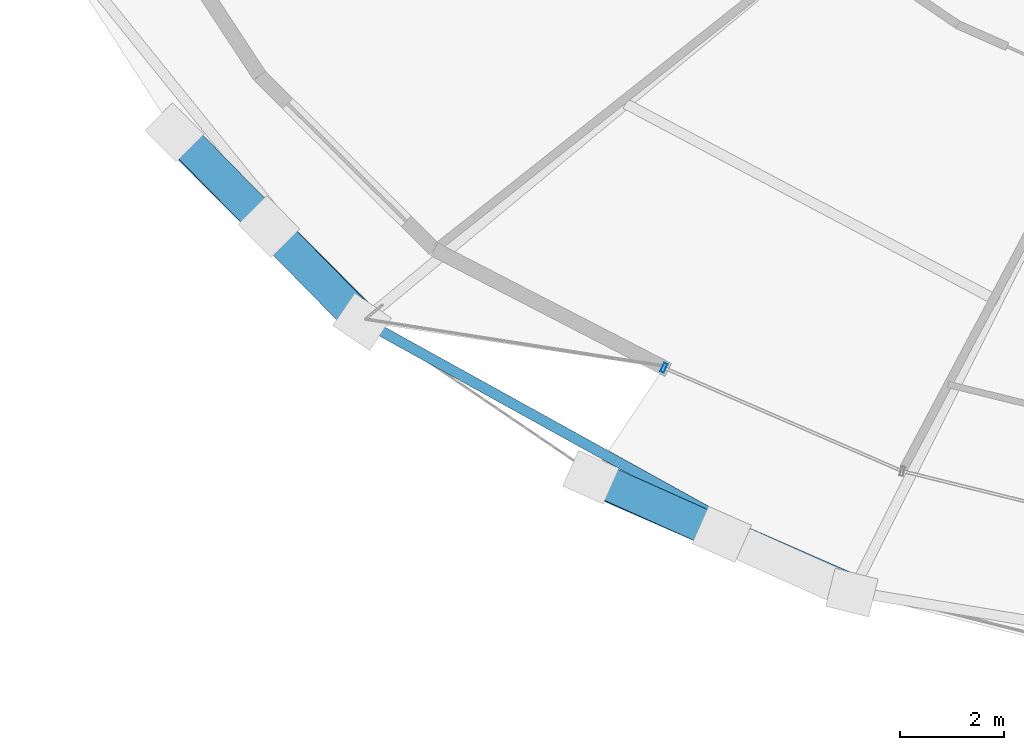
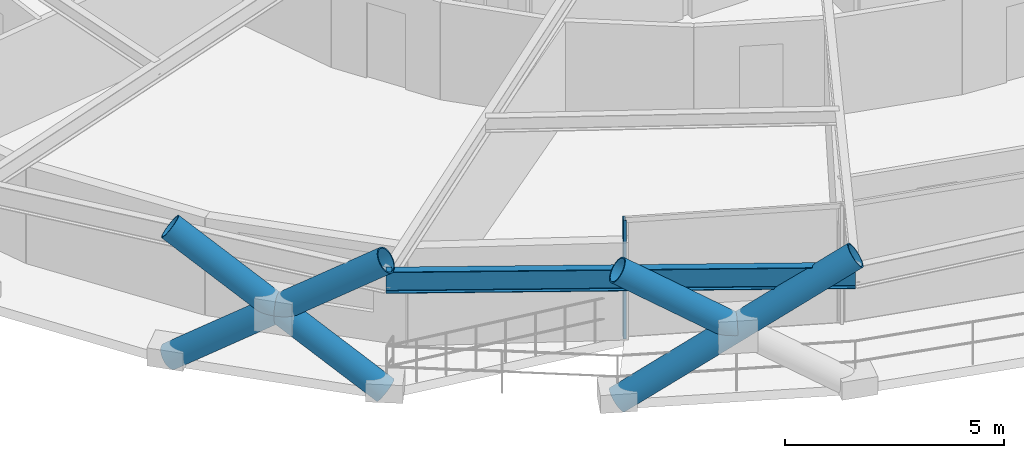
# One storey, part 1 of 21: 6 members, 1 beam, 1 element without a shape of its own.
"""IFC4 building model written with IfcOpenShell, lengths in metres."""

from ifc_helpers import new_model, si_unit, direction, frame, origin, origin_2d, place, context, subcontext, project, spatial, hollow_rectangle, hollow_circle, i_section, extrude, material, layer, layer_set, material_profile, profile_set, type_object, element, aggregate, save


model = new_model("IFC4")

# Units and contexts
model_context = context("Model", 3, precision=1e-05, world=origin(), true_north=direction((0.0, 1.0)))
body_context = subcontext(model_context, "Body", "Model", "MODEL_VIEW")
ifc_project = project(units=[si_unit("LENGTHUNIT", "METRE"), si_unit("AREAUNIT", "SQUARE_METRE"), si_unit("VOLUMEUNIT", "CUBIC_METRE"), si_unit("PLANEANGLEUNIT", "RADIAN"), si_unit("MASSUNIT", "GRAM", prefix="KILO")], contexts=[model_context])

# Site, building, storey
site_placement = place(None, origin())
site = spatial("IfcSite", under=ifc_project, at=site_placement, CompositionType="ELEMENT")
building_placement = place(site_placement, origin())
building = spatial("IfcBuilding", under=site, at=building_placement, Name="Veldorina Hangang Commons", CompositionType="ELEMENT")
storey_placement = place(building_placement, frame((0.0, 0.0, 91.60009765625)))
storey = spatial("IfcBuildingStorey", under=building, at=storey_placement, Name="L23", CompositionType="ELEMENT", Elevation=91.60009765625)

# Beam
ifc_material_1 = material(Name="Steel SM420-TMC", Category="steel")
ifc_material_profile_1 = material_profile(ifc_material_1, i_section(OverallWidth=0.199951171875, OverallDepth=0.60009765625, WebThickness=0.010986328125, FlangeThickness=0.01708984375, FilletRadius=0.01806640625, at=origin_2d()), Name="H-600x200x11x17")
ifc_profile_set_1 = profile_set([ifc_material_profile_1], Name="Steel SM420-TMC")
beam_type = type_object("IfcBeamType", Name="BM-RB600", PredefinedType="BEAM", material=ifc_profile_set_1)
beam_placement = place(storey_placement, frame((11.568603515625, 7.081787109375, 3.039794921875), z_axis=(0.874998715475, -0.484125239909, 0.0), x_axis=(0.484125239909, 0.874998715475, 0.0)))
element("IfcBeam", 1, at=beam_placement, inside=storey, type_object=beam_type, Name="L23 perimeter hoop ring beam 20", PredefinedType="BEAM", context=body_context, shape_type="SweptSolid", body=[
    extrude(i_section(OverallWidth=0.199951171875, OverallDepth=0.60009765625, WebThickness=0.010986328125, FlangeThickness=0.01708984375, FilletRadius=0.01806640625, at=origin_2d()), origin(), (0.0, 0.0, 1.0), 10.713134765625),
])

# Curtain wall, member
ifc_material_2 = material(Name="Glass Low-E Triple IGU", Category="glass")
ifc_layer = layer(ifc_material_2, 0.179931640625)
ifc_layer_set = layer_set([ifc_layer], Name="Glass Low-E Triple IGU")
curtain_wall_type = type_object("IfcCurtainWallType", Name="CW-SYS-Z1", PredefinedType="NOTDEFINED", material=ifc_layer_set)
curtain_wall_placement = place(storey_placement, origin())
curtain_wall = element("IfcCurtainWall", 2, at=curtain_wall_placement, inside=storey, type_object=curtain_wall_type, Name="L23 unitised curtain wall CW-L23-R1", PredefinedType="NOTDEFINED")
ifc_material_3 = material(Name="Aluminium Anodized AA6063-T6", Category="aluminium")
ifc_material_profile_2 = material_profile(ifc_material_3, hollow_rectangle(XDim=0.070068359375, YDim=0.179931640625, WallThickness=0.00390625, at=origin_2d()), Name="ALU-RHS-180x70x4")
ifc_profile_set_2 = profile_set([ifc_material_profile_2], Name="Aluminium Anodized AA6063-T6")
member_type_1 = type_object("IfcMemberType", Name="CW-MUL-180", PredefinedType="MULLION", material=ifc_profile_set_2)
member_1_placement = place(storey_placement, frame((17.33203125, 6.185791015625, 0.0), z_axis=(0.0, 0.0, 1.0), x_axis=(0.917414644732, -0.397932619462, 0.0)))
member_1 = element("IfcMember", 3, at=member_1_placement, type_object=member_type_1, Name="CW-L23-R1 vertical mullion 1", PredefinedType="MULLION", context=body_context, shape_type="SweptSolid", body=[
    extrude(hollow_rectangle(XDim=0.070068359375, YDim=0.179931640625, WallThickness=0.00390625, at=origin_2d()), origin(), (0.0, 0.0, 1.0), 3.2998046875),
])
aggregate(curtain_wall, [member_1])

# Members
ifc_material_4 = material(Name="Steel SM460-TMC", Category="steel")
ifc_material_profile_3 = material_profile(ifc_material_4, hollow_circle(Radius=0.324951171875, WallThickness=0.031982421875, at=origin_2d()), Name="CHS-650x32")
ifc_profile_set_3 = profile_set([ifc_material_profile_3], Name="Steel SM460-TMC")
member_type_2 = type_object("IfcMemberType", Name="DG-CHS650", PredefinedType="BRACE", material=ifc_profile_set_3)
member_2_placement = place(storey_placement, frame((7.95263671875, 10.697021484375, 0.0), z_axis=(0.578767135763, -0.577674091125, 0.575605113775), x_axis=(0.70643812274, 0.70777480793, 0.0)))
element("IfcMember", 4, at=member_2_placement, inside=storey, type_object=member_type_2, Name="L23 continuous perimeter diagrid brace 19", PredefinedType="BRACE", context=body_context, shape_type="SweptSolid", body=[
    extrude(hollow_circle(Radius=0.324951171875, WallThickness=0.031982421875, at=origin_2d()), origin(), (0.0, 0.0, 1.0), 6.254150390625),
])
member_3_placement = place(storey_placement, frame((11.54931640625, 7.068359375, 0.0), z_axis=(-0.57196248852, 0.583300090822, 0.576732100523), x_axis=(-0.714011855423, -0.700133608903, 0.0)))
element("IfcMember", 5, at=member_3_placement, inside=storey, type_object=member_type_2, Name="L23 split perimeter diagrid lower brace 20", PredefinedType="BRACE", context=body_context, shape_type="SweptSolid", body=[
    extrude(hollow_circle(Radius=0.324951171875, WallThickness=0.031982421875, at=origin_2d()), origin(), (0.0, 0.0, 1.0), 3.122314453125),
])
member_4_placement = place(storey_placement, frame((9.763427734375, 8.8896484375, 1.80078125), z_axis=(-0.571878582427, 0.583383461532, 0.576730980417), x_axis=(-0.714113217446, -0.700030222683, 0.0)))
element("IfcMember", 6, at=member_4_placement, inside=storey, type_object=member_type_2, Name="L23 split perimeter diagrid upper brace 20", PredefinedType="BRACE", context=body_context, shape_type="SweptSolid", body=[
    extrude(hollow_circle(Radius=0.324951171875, WallThickness=0.031982421875, at=origin_2d()), origin(), (0.0, 0.0, 1.0), 3.119384765625),
])
member_5_placement = place(storey_placement, frame((15.93212890625, 4.090576171875, 0.0), z_axis=(0.76538895083, -0.334696897401, 0.549688767229), x_axis=(0.400657294258, 0.916227991582, 0.0)))
element("IfcMember", 7, at=member_5_placement, inside=storey, type_object=member_type_2, Name="L23 continuous perimeter diagrid brace 21", PredefinedType="BRACE", context=body_context, shape_type="SweptSolid", body=[
    extrude(hollow_circle(Radius=0.324951171875, WallThickness=0.031982421875, at=origin_2d()), origin(), (0.0, 0.0, 1.0), 6.548828125),
])
member_6_placement = place(storey_placement, frame((18.439697265625, 2.993896484375, 1.80078125), z_axis=(-0.761826112562, 0.341353683269, 0.550543946599), x_axis=(-0.408901719102, -0.912578426282, 0.0)))
element("IfcMember", 8, at=member_6_placement, inside=storey, type_object=member_type_2, Name="L23 split perimeter diagrid upper brace 22", PredefinedType="BRACE", context=body_context, shape_type="SweptSolid", body=[
    extrude(hollow_circle(Radius=0.324951171875, WallThickness=0.031982421875, at=origin_2d()), origin(), (0.0, 0.0, 1.0), 3.267822265625),
])

save(model, "model.ifc")
